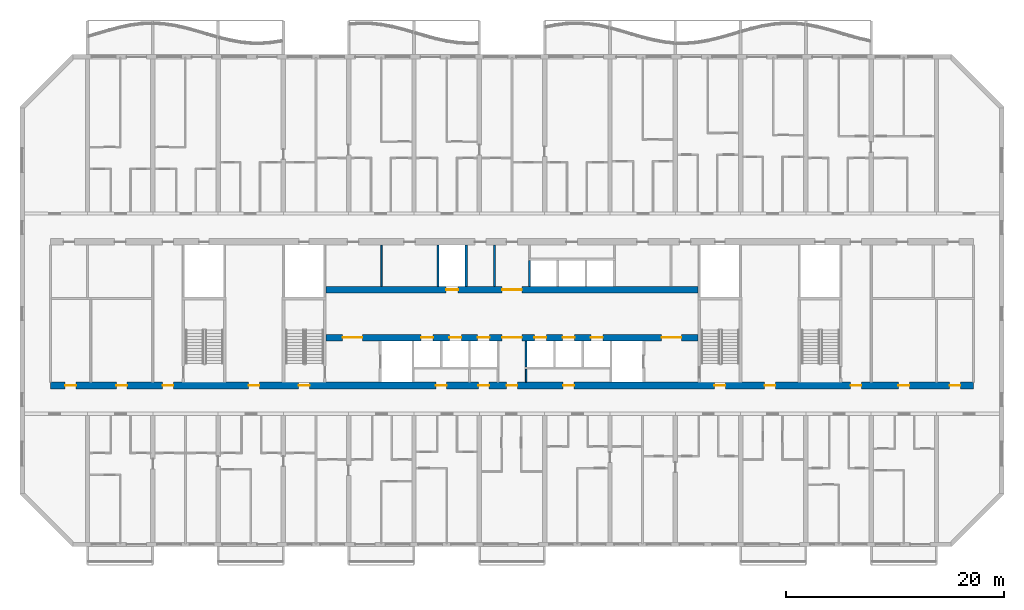
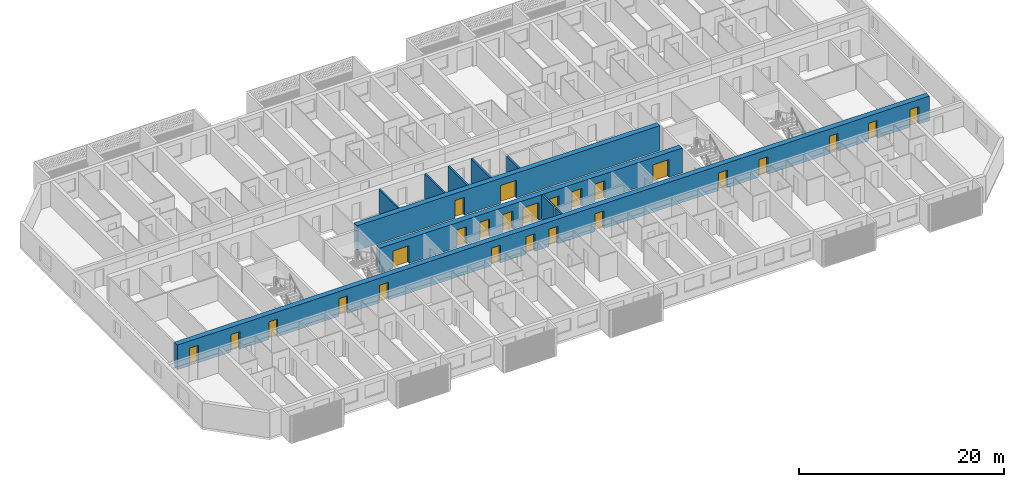
# One storey, part 7 of 39: 25 doors, 10 walls, 25 openings.
"""IFC4 building model written with IfcOpenShell, lengths in metres."""

from ifc_helpers import new_model, si_unit, direction, frame, frame_2d, origin, place, context, subcontext, project, spatial, rectangle, extrude, material, layer, layer_set, type_object, element, fill, save


model = new_model("IFC4")

# Units and contexts
model_context = context("Model", 3, precision=1e-05, world=origin(), true_north=direction((0.0, 1.0)))
body_context = subcontext(model_context, "Body", "Model", "MODEL_VIEW")
ifc_project = project(units=[si_unit("LENGTHUNIT", "METRE"), si_unit("AREAUNIT", "SQUARE_METRE"), si_unit("VOLUMEUNIT", "CUBIC_METRE"), si_unit("PLANEANGLEUNIT", "RADIAN"), si_unit("MASSUNIT", "GRAM", prefix="KILO")], contexts=[model_context])

# Site, building, storey
site_placement = place(None, origin())
site = spatial("IfcSite", under=ifc_project, at=site_placement, CompositionType="ELEMENT")
building_placement = place(site_placement, origin())
building = spatial("IfcBuilding", under=site, at=building_placement, Name="Poui Terraces", CompositionType="ELEMENT")
storey_placement = place(building_placement, frame((0.0, 0.0, 63.0)))
storey = spatial("IfcBuildingStorey", under=building, at=storey_placement, Name="L17", CompositionType="ELEMENT", Elevation=63.0)

# Wall, openings, doors
ifc_material_1 = material(Name="Concrete 80 MPa", Category="concrete")
ifc_layer_1 = layer(ifc_material_1, 0.60009765625)
ifc_layer_set_1 = layer_set([ifc_layer_1], Name="Concrete 80 MPa")
wall_type_1 = type_object("IfcWallType", Name="CORE WALL 600 80 MPA", PredefinedType="SOLIDWALL", material=ifc_layer_set_1)
wall_1_placement = place(storey_placement, frame((33.925048828125, 19.0, 0.0), z_axis=(0.0, 0.0, 1.0), x_axis=(1.0, 0.0, 0.0)))
wall_1 = element("IfcWall", 1, at=wall_1_placement, inside=storey, type_object=wall_type_1, Name="CORE WALL", PredefinedType="SOLIDWALL", context=body_context, shape_type="SweptSolid", body=[
    extrude(rectangle(XDim=34.14990234375, YDim=0.60009765625, at=frame_2d((17.074951171875, 0.0))), origin(), (0.0, 0.0, 1.0), 2.949951171875),
])
opening_1_placement = place(wall_1_placement, frame((16.175048828125, 0.0, 0.0)))
opening_1 = element("IfcOpeningElement", 2, at=opening_1_placement, cuts=wall_1, Name="Opening FDD60", PredefinedType="OPENING", context=body_context, shape_type="SweptSolid", body=[
    extrude(rectangle(XDim=1.800048828125, YDim=2.10009765625, at=frame_2d((0.89990234375, 1.050048828125))), frame((0.0, 0.31005859375, 0.0), z_axis=(0.0, -1.0, 0.0), x_axis=(1.0, 0.0, 0.0)), (0.0, 0.0, 1.0), 0.6201171875),
])
opening_2_placement = place(wall_1_placement, frame((1.52490234375, 0.0, 0.0)))
opening_2 = element("IfcOpeningElement", 3, at=opening_2_placement, cuts=wall_1, Name="Opening FDD60", PredefinedType="OPENING", context=body_context, shape_type="SweptSolid", body=[
    extrude(rectangle(XDim=1.800048828125, YDim=2.10009765625, at=frame_2d((0.89990234375, 1.050048828125))), frame((0.0, 0.31005859375, 0.0), z_axis=(0.0, -1.0, 0.0), x_axis=(1.0, 0.0, 0.0)), (0.0, 0.0, 1.0), 0.6201171875),
])
opening_3_placement = place(wall_1_placement, frame((8.72509765625, 0.0, 0.0)))
opening_3 = element("IfcOpeningElement", 4, at=opening_3_placement, cuts=wall_1, Name="Opening LD", PredefinedType="OPENING", context=body_context, shape_type="SweptSolid", body=[
    extrude(rectangle(XDim=1.10009765625, YDim=2.10009765625, at=frame_2d((0.550048828125, 1.050048828125))), frame((0.0, 0.31005859375, 0.0), z_axis=(0.0, -1.0, 0.0), x_axis=(1.0, 0.0, 0.0)), (0.0, 0.0, 1.0), 0.6201171875),
])
opening_4_placement = place(wall_1_placement, frame((11.324951171875, 0.0, 0.0)))
opening_4 = element("IfcOpeningElement", 5, at=opening_4_placement, cuts=wall_1, Name="Opening LD", PredefinedType="OPENING", context=body_context, shape_type="SweptSolid", body=[
    extrude(rectangle(XDim=1.10009765625, YDim=2.10009765625, at=frame_2d((0.550048828125, 1.050048828125))), frame((0.0, 0.31005859375, 0.0), z_axis=(0.0, -1.0, 0.0), x_axis=(1.0, 0.0, 0.0)), (0.0, 0.0, 1.0), 0.6201171875),
])
opening_5_placement = place(wall_1_placement, frame((13.925048828125, 0.0, 0.0)))
opening_5 = element("IfcOpeningElement", 6, at=opening_5_placement, cuts=wall_1, Name="Opening LD", PredefinedType="OPENING", context=body_context, shape_type="SweptSolid", body=[
    extrude(rectangle(XDim=1.10009765625, YDim=2.10009765625, at=frame_2d((0.550048828125, 1.050048828125))), frame((0.0, 0.31005859375, 0.0), z_axis=(0.0, -1.0, 0.0), x_axis=(1.0, 0.0, 0.0)), (0.0, 0.0, 1.0), 0.6201171875),
])
opening_6_placement = place(wall_1_placement, frame((19.125, 0.0, 0.0)))
opening_6 = element("IfcOpeningElement", 7, at=opening_6_placement, cuts=wall_1, Name="Opening LD", PredefinedType="OPENING", context=body_context, shape_type="SweptSolid", body=[
    extrude(rectangle(XDim=1.10009765625, YDim=2.10009765625, at=frame_2d((0.550048828125, 1.050048828125))), frame((0.0, 0.31005859375, 0.0), z_axis=(0.0, -1.0, 0.0), x_axis=(1.0, 0.0, 0.0)), (0.0, 0.0, 1.0), 0.6201171875),
])
opening_7_placement = place(wall_1_placement, frame((21.72509765625, 0.0, 0.0)))
opening_7 = element("IfcOpeningElement", 8, at=opening_7_placement, cuts=wall_1, Name="Opening LD", PredefinedType="OPENING", context=body_context, shape_type="SweptSolid", body=[
    extrude(rectangle(XDim=1.10009765625, YDim=2.10009765625, at=frame_2d((0.550048828125, 1.050048828125))), frame((0.0, 0.31005859375, 0.0), z_axis=(0.0, -1.0, 0.0), x_axis=(1.0, 0.0, 0.0)), (0.0, 0.0, 1.0), 0.6201171875),
])
opening_8_placement = place(wall_1_placement, frame((24.324951171875, 0.0, 0.0)))
opening_8 = element("IfcOpeningElement", 9, at=opening_8_placement, cuts=wall_1, Name="Opening LD", PredefinedType="OPENING", context=body_context, shape_type="SweptSolid", body=[
    extrude(rectangle(XDim=1.10009765625, YDim=2.10009765625, at=frame_2d((0.550048828125, 1.050048828125))), frame((0.0, 0.31005859375, 0.0), z_axis=(0.0, -1.0, 0.0), x_axis=(1.0, 0.0, 0.0)), (0.0, 0.0, 1.0), 0.6201171875),
])
opening_9_placement = place(wall_1_placement, frame((30.824951171875, 0.0, 0.0)))
opening_9 = element("IfcOpeningElement", 10, at=opening_9_placement, cuts=wall_1, Name="Opening FDD60", PredefinedType="OPENING", context=body_context, shape_type="SweptSolid", body=[
    extrude(rectangle(XDim=1.800048828125, YDim=2.10009765625, at=frame_2d((0.89990234375, 1.050048828125))), frame((0.0, 0.31005859375, 0.0), z_axis=(0.0, -1.0, 0.0), x_axis=(1.0, 0.0, 0.0)), (0.0, 0.0, 1.0), 0.6201171875),
])
ifc_material_2 = material(Name="Steel fire door", Category="steel")
door_type_1 = type_object("IfcDoorType", Name="DOUBLE LOBBY FIRE DOOR 1800 X 2100", OperationType="DOUBLE_DOOR_SINGLE_SWING", PredefinedType="DOOR", material=ifc_material_2)
door_1_placement = place(opening_1_placement, frame((1.800048828125, 0.0, 0.0), z_axis=(0.0, 0.0, 1.0), x_axis=(-1.0, 0.0, 0.0)))
door_1 = element("IfcDoor", 11, at=door_1_placement, inside=storey, type_object=door_type_1, Name="DOUBLE LOBBY FIRE DOOR 140", OperationType="DOUBLE_DOOR_SINGLE_SWING", OverallHeight=2.10009765625, OverallWidth=1.800048828125, PredefinedType="DOOR", context=body_context, shape_type="SweptSolid", body=[
    extrude(rectangle(XDim=1.800048828125, YDim=2.10009765625, at=frame_2d((0.89990234375, 1.050048828125))), frame((0.0, 0.02490234375, 0.0), z_axis=(0.0, -1.0, 0.0), x_axis=(1.0, 0.0, 0.0)), (0.0, 0.0, 1.0), 0.050048828125),
])
fill(opening_1, door_1)
door_2_placement = place(opening_2_placement, origin())
door_2 = element("IfcDoor", 12, at=door_2_placement, inside=storey, type_object=door_type_1, Name="DOUBLE LOBBY FIRE DOOR 141", OperationType="DOUBLE_DOOR_SINGLE_SWING", OverallHeight=2.10009765625, OverallWidth=1.800048828125, PredefinedType="DOOR", context=body_context, shape_type="SweptSolid", body=[
    extrude(rectangle(XDim=1.800048828125, YDim=2.10009765625, at=frame_2d((0.89990234375, 1.050048828125))), frame((0.0, 0.02490234375, 0.0), z_axis=(0.0, -1.0, 0.0), x_axis=(1.0, 0.0, 0.0)), (0.0, 0.0, 1.0), 0.050048828125),
])
fill(opening_2, door_2)
door_3_placement = place(opening_9_placement, origin())
door_3 = element("IfcDoor", 13, at=door_3_placement, inside=storey, type_object=door_type_1, Name="DOUBLE LOBBY FIRE DOOR 149", OperationType="DOUBLE_DOOR_SINGLE_SWING", OverallHeight=2.10009765625, OverallWidth=1.800048828125, PredefinedType="DOOR", context=body_context, shape_type="SweptSolid", body=[
    extrude(rectangle(XDim=1.800048828125, YDim=2.10009765625, at=frame_2d((0.89990234375, 1.050048828125))), frame((0.0, 0.02490234375, 0.0), z_axis=(0.0, -1.0, 0.0), x_axis=(1.0, 0.0, 0.0)), (0.0, 0.0, 1.0), 0.050048828125),
])
fill(opening_9, door_3)
ifc_material_3 = material(Name="Stainless steel sliding door", Category="steel")
door_type_2 = type_object("IfcDoorType", Name="LIFT LANDING DOOR 1100 X 2100", OperationType="DOUBLE_DOOR_SLIDING", PredefinedType="DOOR", material=ifc_material_3)
door_4_placement = place(opening_3_placement, origin())
door_4 = element("IfcDoor", 14, at=door_4_placement, inside=storey, type_object=door_type_2, Name="LANDING DOOR", OperationType="DOUBLE_DOOR_SLIDING", OverallHeight=2.10009765625, OverallWidth=1.10009765625, PredefinedType="DOOR", context=body_context, shape_type="SweptSolid", body=[
    extrude(rectangle(XDim=1.10009765625, YDim=2.10009765625, at=frame_2d((0.550048828125, 1.050048828125))), frame((0.0, 0.02490234375, 0.0), z_axis=(0.0, -1.0, 0.0), x_axis=(1.0, 0.0, 0.0)), (0.0, 0.0, 1.0), 0.050048828125),
])
fill(opening_3, door_4)
door_5_placement = place(opening_4_placement, origin())
door_5 = element("IfcDoor", 15, at=door_5_placement, inside=storey, type_object=door_type_2, Name="LANDING DOOR", OperationType="DOUBLE_DOOR_SLIDING", OverallHeight=2.10009765625, OverallWidth=1.10009765625, PredefinedType="DOOR", context=body_context, shape_type="SweptSolid", body=[
    extrude(rectangle(XDim=1.10009765625, YDim=2.10009765625, at=frame_2d((0.550048828125, 1.050048828125))), frame((0.0, 0.02490234375, 0.0), z_axis=(0.0, -1.0, 0.0), x_axis=(1.0, 0.0, 0.0)), (0.0, 0.0, 1.0), 0.050048828125),
])
fill(opening_4, door_5)
door_6_placement = place(opening_5_placement, origin())
door_6 = element("IfcDoor", 16, at=door_6_placement, inside=storey, type_object=door_type_2, Name="LANDING DOOR", OperationType="DOUBLE_DOOR_SLIDING", OverallHeight=2.10009765625, OverallWidth=1.10009765625, PredefinedType="DOOR", context=body_context, shape_type="SweptSolid", body=[
    extrude(rectangle(XDim=1.10009765625, YDim=2.10009765625, at=frame_2d((0.550048828125, 1.050048828125))), frame((0.0, 0.02490234375, 0.0), z_axis=(0.0, -1.0, 0.0), x_axis=(1.0, 0.0, 0.0)), (0.0, 0.0, 1.0), 0.050048828125),
])
fill(opening_5, door_6)
door_7_placement = place(opening_6_placement, origin())
door_7 = element("IfcDoor", 17, at=door_7_placement, inside=storey, type_object=door_type_2, Name="LANDING DOOR", OperationType="DOUBLE_DOOR_SLIDING", OverallHeight=2.10009765625, OverallWidth=1.10009765625, PredefinedType="DOOR", context=body_context, shape_type="SweptSolid", body=[
    extrude(rectangle(XDim=1.10009765625, YDim=2.10009765625, at=frame_2d((0.550048828125, 1.050048828125))), frame((0.0, 0.02490234375, 0.0), z_axis=(0.0, -1.0, 0.0), x_axis=(1.0, 0.0, 0.0)), (0.0, 0.0, 1.0), 0.050048828125),
])
fill(opening_6, door_7)
door_8_placement = place(opening_7_placement, origin())
door_8 = element("IfcDoor", 18, at=door_8_placement, inside=storey, type_object=door_type_2, Name="LANDING DOOR", OperationType="DOUBLE_DOOR_SLIDING", OverallHeight=2.10009765625, OverallWidth=1.10009765625, PredefinedType="DOOR", context=body_context, shape_type="SweptSolid", body=[
    extrude(rectangle(XDim=1.10009765625, YDim=2.10009765625, at=frame_2d((0.550048828125, 1.050048828125))), frame((0.0, 0.02490234375, 0.0), z_axis=(0.0, -1.0, 0.0), x_axis=(1.0, 0.0, 0.0)), (0.0, 0.0, 1.0), 0.050048828125),
])
fill(opening_7, door_8)
door_9_placement = place(opening_8_placement, origin())
door_9 = element("IfcDoor", 19, at=door_9_placement, inside=storey, type_object=door_type_2, Name="LANDING DOOR", OperationType="DOUBLE_DOOR_SLIDING", OverallHeight=2.10009765625, OverallWidth=1.10009765625, PredefinedType="DOOR", context=body_context, shape_type="SweptSolid", body=[
    extrude(rectangle(XDim=1.10009765625, YDim=2.10009765625, at=frame_2d((0.550048828125, 1.050048828125))), frame((0.0, 0.02490234375, 0.0), z_axis=(0.0, -1.0, 0.0), x_axis=(1.0, 0.0, 0.0)), (0.0, 0.0, 1.0), 0.050048828125),
])
fill(opening_8, door_9)

wall_2_placement = place(storey_placement, frame((33.925048828125, 23.39990234375, 0.0), z_axis=(0.0, 0.0, 1.0), x_axis=(1.0, 0.0, 0.0)))
wall_2 = element("IfcWall", 20, at=wall_2_placement, inside=storey, type_object=wall_type_1, Name="CORE WALL", PredefinedType="SOLIDWALL", context=body_context, shape_type="SweptSolid", body=[
    extrude(rectangle(XDim=34.14990234375, YDim=0.60009765625, at=frame_2d((17.074951171875, 0.0))), origin(), (0.0, 0.0, 1.0), 2.949951171875),
])
opening_10_placement = place(wall_2_placement, frame((16.175048828125, 0.0, 0.0)))
opening_10 = element("IfcOpeningElement", 21, at=opening_10_placement, cuts=wall_2, Name="Opening FDD60", PredefinedType="OPENING", context=body_context, shape_type="SweptSolid", body=[
    extrude(rectangle(XDim=1.800048828125, YDim=2.10009765625, at=frame_2d((0.89990234375, 1.050048828125))), frame((0.0, 0.31005859375, 0.0), z_axis=(0.0, -1.0, 0.0), x_axis=(1.0, 0.0, 0.0)), (0.0, 0.0, 1.0), 0.6201171875),
])
opening_11_placement = place(wall_2_placement, frame((11.02490234375, 0.0, 0.0)))
opening_11 = element("IfcOpeningElement", 22, at=opening_11_placement, cuts=wall_2, Name="Opening LD", PredefinedType="OPENING", context=body_context, shape_type="SweptSolid", body=[
    extrude(rectangle(XDim=1.10009765625, YDim=2.10009765625, at=frame_2d((0.550048828125, 1.050048828125))), frame((0.0, 0.31005859375, 0.0), z_axis=(0.0, -1.0, 0.0), x_axis=(1.0, 0.0, 0.0)), (0.0, 0.0, 1.0), 0.6201171875),
])
door_10_placement = place(opening_10_placement, origin())
door_10 = element("IfcDoor", 23, at=door_10_placement, inside=storey, type_object=door_type_1, Name="DOUBLE LOBBY FIRE DOOR 139", OperationType="DOUBLE_DOOR_SINGLE_SWING", OverallHeight=2.10009765625, OverallWidth=1.800048828125, PredefinedType="DOOR", context=body_context, shape_type="SweptSolid", body=[
    extrude(rectangle(XDim=1.800048828125, YDim=2.10009765625, at=frame_2d((0.89990234375, 1.050048828125))), frame((0.0, 0.02490234375, 0.0), z_axis=(0.0, -1.0, 0.0), x_axis=(1.0, 0.0, 0.0)), (0.0, 0.0, 1.0), 0.050048828125),
])
fill(opening_10, door_10)
door_11_placement = place(opening_11_placement, origin())
door_11 = element("IfcDoor", 24, at=door_11_placement, inside=storey, type_object=door_type_2, Name="LANDING DOOR", OperationType="DOUBLE_DOOR_SLIDING", OverallHeight=2.10009765625, OverallWidth=1.10009765625, PredefinedType="DOOR", context=body_context, shape_type="SweptSolid", body=[
    extrude(rectangle(XDim=1.10009765625, YDim=2.10009765625, at=frame_2d((0.550048828125, 1.050048828125))), frame((0.0, 0.02490234375, 0.0), z_axis=(0.0, -1.0, 0.0), x_axis=(1.0, 0.0, 0.0)), (0.0, 0.0, 1.0), 0.050048828125),
])
fill(opening_11, door_11)

# Walls
ifc_material_4 = material(Name="Fire-rated plasterboard wall")
ifc_layer_2 = layer(ifc_material_4, 0.14990234375)
ifc_layer_set_2 = layer_set([ifc_layer_2], Name="Fire-rated plasterboard wall")
wall_type_2 = type_object("IfcWallType", Name="CORRIDOR WALL 150", PredefinedType="PARTITIONING", material=ifc_layer_set_2)
wall_3_placement = place(storey_placement, frame((52.300048828125, 14.909912109375, 0.0), z_axis=(0.0, 0.0, 1.0), x_axis=(0.0, 1.0, 0.0)))
element("IfcWall", 25, at=wall_3_placement, inside=storey, type_object=wall_type_2, Name="CORRIDOR WALL 150", PredefinedType="PARTITIONING", context=body_context, shape_type="SweptSolid", body=[
    extrude(rectangle(XDim=1.190185546875, YDim=0.14990234375, at=frame_2d((0.59521484375, 0.0))), origin(), (0.0, 0.0, 1.0), 2.949951171875),
])
ifc_material_5 = material(Name="Plasterboard partition")
ifc_layer_3 = layer(ifc_material_5, 0.14990234375)
ifc_layer_set_3 = layer_set([ifc_layer_3], Name="Plasterboard partition")
wall_type_3 = type_object("IfcWallType", Name="PARTITION WALL 150", PredefinedType="PARTITIONING", material=ifc_layer_set_3)
wall_4_placement = place(storey_placement, frame((39.0, 23.7099609375, 0.0), z_axis=(0.0, 0.0, 1.0), x_axis=(0.0, 1.0, 0.0)))
element("IfcWall", 26, at=wall_4_placement, inside=storey, type_object=wall_type_3, Name="PARTITION WALL 150", PredefinedType="PARTITIONING", context=body_context, shape_type="SweptSolid", body=[
    extrude(rectangle(XDim=3.780029296875, YDim=0.14990234375, at=frame_2d((1.89013671875, 0.0))), origin(), (0.0, 0.0, 1.0), 2.949951171875),
])
ifc_material_6 = material(Name="Fire-rated masonry wall", Category="masonry")
ifc_layer_4 = layer(ifc_material_6, 0.199951171875)
ifc_layer_set_4 = layer_set([ifc_layer_4], Name="Fire-rated masonry wall")
wall_type_4 = type_object("IfcWallType", Name="PLANT ROOM WALL 200", PredefinedType="PARTITIONING", material=ifc_layer_set_4)
wall_5_placement = place(storey_placement, frame((49.39990234375, 23.7099609375, 0.0), z_axis=(0.0, 0.0, 1.0), x_axis=(0.0, 1.0, 0.0)))
element("IfcWall", 27, at=wall_5_placement, inside=storey, type_object=wall_type_4, Name="PLANT ROOM WALL 200", PredefinedType="PARTITIONING", context=body_context, shape_type="SweptSolid", body=[
    extrude(rectangle(XDim=3.780029296875, YDim=0.199951171875, at=frame_2d((1.89013671875, 0.0))), origin(), (0.0, 0.0, 1.0), 2.949951171875),
])
ifc_material_7 = material(Name="Fire-rated masonry shaft wall", Category="masonry")
ifc_layer_5 = layer(ifc_material_7, 0.199951171875)
ifc_layer_set_5 = layer_set([ifc_layer_5], Name="Fire-rated masonry shaft wall")
wall_type_5 = type_object("IfcWallType", Name="SHAFT WALL 200", PredefinedType="PARTITIONING", material=ifc_layer_set_5)
for number, where, z_axis, x_axis, name in (
    (28, (44.199951171875, 23.7099609375, 0.0), (0.0, 0.0, 1.0), (0.0, 1.0, 0.0), "SHAFT WALL 200"),
    (29, (46.800048828125, 23.7099609375, 0.0), (0.0, 0.0, 1.0), (0.0, 1.0, 0.0), "SHAFT WALL 200"),
):
    element("IfcWall", number, at=place(storey_placement, frame(where, z_axis=z_axis, x_axis=x_axis)), inside=storey, type_object=wall_type_5, Name=name, PredefinedType="PARTITIONING", context=body_context, shape_type="SweptSolid", body=[
        extrude(rectangle(XDim=3.780029296875, YDim=0.199951171875, at=frame_2d((1.89013671875, 0.0))), origin(), (0.0, 0.0, 1.0), 2.949951171875),
    ])
wall_6_placement = place(storey_placement, frame((52.300048828125, 16.300048828125, 0.0), z_axis=(0.0, 0.0, 1.0), x_axis=(0.0, 1.0, 0.0)))
element("IfcWall", 30, at=wall_6_placement, inside=storey, type_object=wall_type_5, Name="SHAFT WALL 200", PredefinedType="PARTITIONING", context=body_context, shape_type="SweptSolid", body=[
    extrude(rectangle(XDim=2.389892578125, YDim=0.199951171875, at=frame_2d((1.19482421875, 0.0))), origin(), (0.0, 0.0, 1.0), 2.949951171875),
])
wall_7_placement = place(storey_placement, frame((52.60009765625, 23.7099609375, 0.0), z_axis=(0.0, 0.0, 1.0), x_axis=(0.0, 1.0, 0.0)))
element("IfcWall", 31, at=wall_7_placement, inside=storey, type_object=wall_type_5, Name="SHAFT WALL 200", PredefinedType="PARTITIONING", context=body_context, shape_type="SweptSolid", body=[
    extrude(rectangle(XDim=2.39013671875, YDim=0.199951171875, at=frame_2d((1.195068359375, 0.0))), origin(), (0.0, 0.0, 1.0), 2.949951171875),
])

# Wall, openings, doors
ifc_layer_6 = layer(ifc_material_1, 0.60009765625)
ifc_layer_set_6 = layer_set([ifc_layer_6], Name="Concrete 80 MPa")
wall_type_6 = type_object("IfcWallType", Name="SPINE WALL 600 80 MPA", PredefinedType="SOLIDWALL", material=ifc_layer_set_6)
wall_8_placement = place(storey_placement, frame((8.60009765625, 14.60009765625, 0.0), z_axis=(0.0, 0.0, 1.0), x_axis=(1.0, 0.0, 0.0)))
wall_8 = element("IfcWall", 32, at=wall_8_placement, inside=storey, type_object=wall_type_6, Name="SPINE WALL", PredefinedType="SOLIDWALL", context=body_context, shape_type="SweptSolid", body=[
    extrude(rectangle(XDim=84.7998046875, YDim=0.60009765625, at=frame_2d((42.39990234375, 0.0))), origin(), (0.0, 0.0, 1.0), 2.949951171875),
])
opening_12_placement = place(wall_8_placement, frame((1.35009765625, 0.0, 0.0)))
opening_12 = element("IfcOpeningElement", 33, at=opening_12_placement, cuts=wall_8, Name="Opening D100", PredefinedType="OPENING", context=body_context, shape_type="SweptSolid", body=[
    extrude(rectangle(XDim=1.0, YDim=2.10009765625, at=frame_2d((0.5, 1.050048828125))), frame((0.0, 0.31005859375, 0.0), z_axis=(0.0, -1.0, 0.0), x_axis=(1.0, 0.0, 0.0)), (0.0, 0.0, 1.0), 0.6201171875),
])
opening_13_placement = place(wall_8_placement, frame((6.050048828125, 0.0, 0.0)))
opening_13 = element("IfcOpeningElement", 34, at=opening_13_placement, cuts=wall_8, Name="Opening FD60", PredefinedType="OPENING", context=body_context, shape_type="SweptSolid", body=[
    extrude(rectangle(XDim=1.0, YDim=2.10009765625, at=frame_2d((0.5, 1.050048828125))), frame((0.0, 0.31005859375, 0.0), z_axis=(0.0, -1.0, 0.0), x_axis=(1.0, 0.0, 0.0)), (0.0, 0.0, 1.0), 0.6201171875),
])
opening_14_placement = place(wall_8_placement, frame((10.300048828125, 0.0, 0.0)))
opening_14 = element("IfcOpeningElement", 35, at=opening_14_placement, cuts=wall_8, Name="Opening FDL", PredefinedType="OPENING", context=body_context, shape_type="SweptSolid", body=[
    extrude(rectangle(XDim=1.0, YDim=2.10009765625, at=frame_2d((0.5, 1.050048828125))), frame((0.0, 0.31005859375, 0.0), z_axis=(0.0, -1.0, 0.0), x_axis=(1.0, 0.0, 0.0)), (0.0, 0.0, 1.0), 0.6201171875),
])
opening_15_placement = place(wall_8_placement, frame((18.199951171875, 0.0, 0.0)))
opening_15 = element("IfcOpeningElement", 36, at=opening_15_placement, cuts=wall_8, Name="Opening D100", PredefinedType="OPENING", context=body_context, shape_type="SweptSolid", body=[
    extrude(rectangle(XDim=1.0, YDim=2.10009765625, at=frame_2d((0.5, 1.050048828125))), frame((0.0, 0.31005859375, 0.0), z_axis=(0.0, -1.0, 0.0), x_axis=(1.0, 0.0, 0.0)), (0.0, 0.0, 1.0), 0.6201171875),
])
opening_16_placement = place(wall_8_placement, frame((22.800048828125, 0.0, 0.0)))
opening_16 = element("IfcOpeningElement", 37, at=opening_16_placement, cuts=wall_8, Name="Opening FD60S", PredefinedType="OPENING", context=body_context, shape_type="SweptSolid", body=[
    extrude(rectangle(XDim=1.0, YDim=2.10009765625, at=frame_2d((0.5, 1.050048828125))), frame((0.0, 0.31005859375, 0.0), z_axis=(0.0, -1.0, 0.0), x_axis=(1.0, 0.0, 0.0)), (0.0, 0.0, 1.0), 0.6201171875),
])
opening_17_placement = place(wall_8_placement, frame((35.39990234375, 0.0, 0.0)))
opening_17 = element("IfcOpeningElement", 38, at=opening_17_placement, cuts=wall_8, Name="Opening FD60", PredefinedType="OPENING", context=body_context, shape_type="SweptSolid", body=[
    extrude(rectangle(XDim=1.0, YDim=2.10009765625, at=frame_2d((0.5, 1.050048828125))), frame((0.0, 0.31005859375, 0.0), z_axis=(0.0, -1.0, 0.0), x_axis=(1.0, 0.0, 0.0)), (0.0, 0.0, 1.0), 0.6201171875),
])
opening_18_placement = place(wall_8_placement, frame((39.300048828125, 0.0, 0.0)))
opening_18 = element("IfcOpeningElement", 39, at=opening_18_placement, cuts=wall_8, Name="Opening FD60", PredefinedType="OPENING", context=body_context, shape_type="SweptSolid", body=[
    extrude(rectangle(XDim=1.0, YDim=2.10009765625, at=frame_2d((0.5, 1.050048828125))), frame((0.0, 0.31005859375, 0.0), z_axis=(0.0, -1.0, 0.0), x_axis=(1.0, 0.0, 0.0)), (0.0, 0.0, 1.0), 0.6201171875),
])
opening_19_placement = place(wall_8_placement, frame((41.89990234375, 0.0, 0.0)))
opening_19 = element("IfcOpeningElement", 40, at=opening_19_placement, cuts=wall_8, Name="Opening FDL", PredefinedType="OPENING", context=body_context, shape_type="SweptSolid", body=[
    extrude(rectangle(XDim=1.0, YDim=2.10009765625, at=frame_2d((0.5, 1.050048828125))), frame((0.0, 0.31005859375, 0.0), z_axis=(0.0, -1.0, 0.0), x_axis=(1.0, 0.0, 0.0)), (0.0, 0.0, 1.0), 0.6201171875),
])
opening_20_placement = place(wall_8_placement, frame((47.10009765625, 0.0, 0.0)))
opening_20 = element("IfcOpeningElement", 41, at=opening_20_placement, cuts=wall_8, Name="Opening FD60", PredefinedType="OPENING", context=body_context, shape_type="SweptSolid", body=[
    extrude(rectangle(XDim=1.0, YDim=2.10009765625, at=frame_2d((0.5, 1.050048828125))), frame((0.0, 0.31005859375, 0.0), z_axis=(0.0, -1.0, 0.0), x_axis=(1.0, 0.0, 0.0)), (0.0, 0.0, 1.0), 0.6201171875),
])
opening_21_placement = place(wall_8_placement, frame((61.0, 0.0, 0.0)))
opening_21 = element("IfcOpeningElement", 42, at=opening_21_placement, cuts=wall_8, Name="Opening FD60S", PredefinedType="OPENING", context=body_context, shape_type="SweptSolid", body=[
    extrude(rectangle(XDim=1.0, YDim=2.10009765625, at=frame_2d((0.5, 1.050048828125))), frame((0.0, 0.31005859375, 0.0), z_axis=(0.0, -1.0, 0.0), x_axis=(1.0, 0.0, 0.0)), (0.0, 0.0, 1.0), 0.6201171875),
])
opening_22_placement = place(wall_8_placement, frame((65.60009765625, 0.0, 0.0)))
opening_22 = element("IfcOpeningElement", 43, at=opening_22_placement, cuts=wall_8, Name="Opening D100", PredefinedType="OPENING", context=body_context, shape_type="SweptSolid", body=[
    extrude(rectangle(XDim=1.0, YDim=2.10009765625, at=frame_2d((0.5, 1.050048828125))), frame((0.0, 0.31005859375, 0.0), z_axis=(0.0, -1.0, 0.0), x_axis=(1.0, 0.0, 0.0)), (0.0, 0.0, 1.0), 0.6201171875),
])
opening_23_placement = place(wall_8_placement, frame((73.5, 0.0, 0.0)))
opening_23 = element("IfcOpeningElement", 44, at=opening_23_placement, cuts=wall_8, Name="Opening FDL", PredefinedType="OPENING", context=body_context, shape_type="SweptSolid", body=[
    extrude(rectangle(XDim=1.0, YDim=2.10009765625, at=frame_2d((0.5, 1.050048828125))), frame((0.0, 0.31005859375, 0.0), z_axis=(0.0, -1.0, 0.0), x_axis=(1.0, 0.0, 0.0)), (0.0, 0.0, 1.0), 0.6201171875),
])
opening_24_placement = place(wall_8_placement, frame((77.89990234375, 0.0, 0.0)))
opening_24 = element("IfcOpeningElement", 45, at=opening_24_placement, cuts=wall_8, Name="Opening D100", PredefinedType="OPENING", context=body_context, shape_type="SweptSolid", body=[
    extrude(rectangle(XDim=1.0, YDim=2.10009765625, at=frame_2d((0.5, 1.050048828125))), frame((0.0, 0.31005859375, 0.0), z_axis=(0.0, -1.0, 0.0), x_axis=(1.0, 0.0, 0.0)), (0.0, 0.0, 1.0), 0.6201171875),
])
opening_25_placement = place(wall_8_placement, frame((82.60009765625, 0.0, 0.0)))
opening_25 = element("IfcOpeningElement", 46, at=opening_25_placement, cuts=wall_8, Name="Opening FD60", PredefinedType="OPENING", context=body_context, shape_type="SweptSolid", body=[
    extrude(rectangle(XDim=1.0, YDim=2.10009765625, at=frame_2d((0.5, 1.050048828125))), frame((0.0, 0.31005859375, 0.0), z_axis=(0.0, -1.0, 0.0), x_axis=(1.0, 0.0, 0.0)), (0.0, 0.0, 1.0), 0.6201171875),
])
ifc_material_8 = material(Name="Solid core timber door", Category="wood")
door_type_3 = type_object("IfcDoorType", Name="ACCESSIBLE INTERNAL DOOR 1000 X 2100", OperationType="NOTDEFINED", PredefinedType="DOOR", material=ifc_material_8)
door_12_placement = place(opening_12_placement, frame((1.0, 0.0, 0.0), z_axis=(0.0, 0.0, 1.0), x_axis=(-1.0, 0.0, 0.0)))
door_12 = element("IfcDoor", 47, at=door_12_placement, inside=storey, type_object=door_type_3, Name="ACCESSIBLE INTERNAL DOOR 018", OperationType="SINGLE_SWING_RIGHT", OverallHeight=2.10009765625, OverallWidth=1.0, PredefinedType="DOOR", context=body_context, shape_type="SweptSolid", body=[
    extrude(rectangle(XDim=1.0, YDim=2.10009765625, at=frame_2d((0.5, 1.050048828125))), frame((0.0, 0.02490234375, 0.0), z_axis=(0.0, -1.0, 0.0), x_axis=(1.0, 0.0, 0.0)), (0.0, 0.0, 1.0), 0.050048828125),
])
fill(opening_12, door_12)
door_13_placement = place(opening_15_placement, frame((1.0, 0.0, 0.0), z_axis=(0.0, 0.0, 1.0), x_axis=(-1.0, 0.0, 0.0)))
door_13 = element("IfcDoor", 48, at=door_13_placement, inside=storey, type_object=door_type_3, Name="ACCESSIBLE INTERNAL DOOR 021", OperationType="SINGLE_SWING_RIGHT", OverallHeight=2.10009765625, OverallWidth=1.0, PredefinedType="DOOR", context=body_context, shape_type="SweptSolid", body=[
    extrude(rectangle(XDim=1.0, YDim=2.10009765625, at=frame_2d((0.5, 1.050048828125))), frame((0.0, 0.02490234375, 0.0), z_axis=(0.0, -1.0, 0.0), x_axis=(1.0, 0.0, 0.0)), (0.0, 0.0, 1.0), 0.050048828125),
])
fill(opening_15, door_13)
door_14_placement = place(opening_22_placement, frame((1.0, 0.0, 0.0), z_axis=(0.0, 0.0, 1.0), x_axis=(-1.0, 0.0, 0.0)))
door_14 = element("IfcDoor", 49, at=door_14_placement, inside=storey, type_object=door_type_3, Name="ACCESSIBLE INTERNAL DOOR 028", OperationType="SINGLE_SWING_LEFT", OverallHeight=2.10009765625, OverallWidth=1.0, PredefinedType="DOOR", context=body_context, shape_type="SweptSolid", body=[
    extrude(rectangle(XDim=1.0, YDim=2.10009765625, at=frame_2d((0.5, 1.050048828125))), frame((0.0, 0.02490234375, 0.0), z_axis=(0.0, -1.0, 0.0), x_axis=(1.0, 0.0, 0.0)), (0.0, 0.0, 1.0), 0.050048828125),
])
fill(opening_22, door_14)
door_15_placement = place(opening_24_placement, frame((1.0, 0.0, 0.0), z_axis=(0.0, 0.0, 1.0), x_axis=(-1.0, 0.0, 0.0)))
door_15 = element("IfcDoor", 50, at=door_15_placement, inside=storey, type_object=door_type_3, Name="ACCESSIBLE INTERNAL DOOR 030", OperationType="SINGLE_SWING_RIGHT", OverallHeight=2.10009765625, OverallWidth=1.0, PredefinedType="DOOR", context=body_context, shape_type="SweptSolid", body=[
    extrude(rectangle(XDim=1.0, YDim=2.10009765625, at=frame_2d((0.5, 1.050048828125))), frame((0.0, 0.02490234375, 0.0), z_axis=(0.0, -1.0, 0.0), x_axis=(1.0, 0.0, 0.0)), (0.0, 0.0, 1.0), 0.050048828125),
])
fill(opening_24, door_15)
door_type_4 = type_object("IfcDoorType", Name="LOBBY FIRE DOOR 1000 X 2100", OperationType="NOTDEFINED", PredefinedType="DOOR", material=ifc_material_2)
door_16_placement = place(opening_14_placement, frame((1.0, 0.0, 0.0), z_axis=(0.0, 0.0, 1.0), x_axis=(-1.0, 0.0, 0.0)))
door_16 = element("IfcDoor", 51, at=door_16_placement, inside=storey, type_object=door_type_4, Name="LOBBY FIRE DOOR 020", OperationType="SINGLE_SWING_RIGHT", OverallHeight=2.10009765625, OverallWidth=1.0, PredefinedType="DOOR", context=body_context, shape_type="SweptSolid", body=[
    extrude(rectangle(XDim=1.0, YDim=2.10009765625, at=frame_2d((0.5, 1.050048828125))), frame((0.0, 0.02490234375, 0.0), z_axis=(0.0, -1.0, 0.0), x_axis=(1.0, 0.0, 0.0)), (0.0, 0.0, 1.0), 0.050048828125),
])
fill(opening_14, door_16)
door_17_placement = place(opening_19_placement, frame((1.0, 0.0, 0.0), z_axis=(0.0, 0.0, 1.0), x_axis=(-1.0, 0.0, 0.0)))
door_17 = element("IfcDoor", 52, at=door_17_placement, inside=storey, type_object=door_type_4, Name="LOBBY FIRE DOOR 025", OperationType="SINGLE_SWING_LEFT", OverallHeight=2.10009765625, OverallWidth=1.0, PredefinedType="DOOR", context=body_context, shape_type="SweptSolid", body=[
    extrude(rectangle(XDim=1.0, YDim=2.10009765625, at=frame_2d((0.5, 1.050048828125))), frame((0.0, 0.02490234375, 0.0), z_axis=(0.0, -1.0, 0.0), x_axis=(1.0, 0.0, 0.0)), (0.0, 0.0, 1.0), 0.050048828125),
])
fill(opening_19, door_17)
door_18_placement = place(opening_23_placement, frame((1.0, 0.0, 0.0), z_axis=(0.0, 0.0, 1.0), x_axis=(-1.0, 0.0, 0.0)))
door_18 = element("IfcDoor", 53, at=door_18_placement, inside=storey, type_object=door_type_4, Name="LOBBY FIRE DOOR 029", OperationType="SINGLE_SWING_LEFT", OverallHeight=2.10009765625, OverallWidth=1.0, PredefinedType="DOOR", context=body_context, shape_type="SweptSolid", body=[
    extrude(rectangle(XDim=1.0, YDim=2.10009765625, at=frame_2d((0.5, 1.050048828125))), frame((0.0, 0.02490234375, 0.0), z_axis=(0.0, -1.0, 0.0), x_axis=(1.0, 0.0, 0.0)), (0.0, 0.0, 1.0), 0.050048828125),
])
fill(opening_23, door_18)
door_type_5 = type_object("IfcDoorType", Name="SERVICE ROOM FIRE DOOR 1000 X 2100", OperationType="NOTDEFINED", PredefinedType="DOOR", material=ifc_material_2)
door_19_placement = place(opening_13_placement, frame((1.0, 0.0, 0.0), z_axis=(0.0, 0.0, 1.0), x_axis=(-1.0, 0.0, 0.0)))
door_19 = element("IfcDoor", 54, at=door_19_placement, inside=storey, type_object=door_type_5, Name="SERVICE ROOM FIRE DOOR 019", OperationType="SINGLE_SWING_LEFT", OverallHeight=2.10009765625, OverallWidth=1.0, PredefinedType="DOOR", context=body_context, shape_type="SweptSolid", body=[
    extrude(rectangle(XDim=1.0, YDim=2.10009765625, at=frame_2d((0.5, 1.050048828125))), frame((0.0, 0.02490234375, 0.0), z_axis=(0.0, -1.0, 0.0), x_axis=(1.0, 0.0, 0.0)), (0.0, 0.0, 1.0), 0.050048828125),
])
fill(opening_13, door_19)
door_20_placement = place(opening_17_placement, frame((1.0, 0.0, 0.0), z_axis=(0.0, 0.0, 1.0), x_axis=(-1.0, 0.0, 0.0)))
door_20 = element("IfcDoor", 55, at=door_20_placement, inside=storey, type_object=door_type_5, Name="SERVICE ROOM FIRE DOOR 023", OperationType="SINGLE_SWING_LEFT", OverallHeight=2.10009765625, OverallWidth=1.0, PredefinedType="DOOR", context=body_context, shape_type="SweptSolid", body=[
    extrude(rectangle(XDim=1.0, YDim=2.10009765625, at=frame_2d((0.5, 1.050048828125))), frame((0.0, 0.02490234375, 0.0), z_axis=(0.0, -1.0, 0.0), x_axis=(1.0, 0.0, 0.0)), (0.0, 0.0, 1.0), 0.050048828125),
])
fill(opening_17, door_20)
door_21_placement = place(opening_18_placement, frame((1.0, 0.0, 0.0), z_axis=(0.0, 0.0, 1.0), x_axis=(-1.0, 0.0, 0.0)))
door_21 = element("IfcDoor", 56, at=door_21_placement, inside=storey, type_object=door_type_5, Name="SERVICE ROOM FIRE DOOR 024", OperationType="SINGLE_SWING_RIGHT", OverallHeight=2.10009765625, OverallWidth=1.0, PredefinedType="DOOR", context=body_context, shape_type="SweptSolid", body=[
    extrude(rectangle(XDim=1.0, YDim=2.10009765625, at=frame_2d((0.5, 1.050048828125))), frame((0.0, 0.02490234375, 0.0), z_axis=(0.0, -1.0, 0.0), x_axis=(1.0, 0.0, 0.0)), (0.0, 0.0, 1.0), 0.050048828125),
])
fill(opening_18, door_21)
door_22_placement = place(opening_20_placement, frame((1.0, 0.0, 0.0), z_axis=(0.0, 0.0, 1.0), x_axis=(-1.0, 0.0, 0.0)))
door_22 = element("IfcDoor", 57, at=door_22_placement, inside=storey, type_object=door_type_5, Name="SERVICE ROOM FIRE DOOR 026", OperationType="SINGLE_SWING_LEFT", OverallHeight=2.10009765625, OverallWidth=1.0, PredefinedType="DOOR", context=body_context, shape_type="SweptSolid", body=[
    extrude(rectangle(XDim=1.0, YDim=2.10009765625, at=frame_2d((0.5, 1.050048828125))), frame((0.0, 0.02490234375, 0.0), z_axis=(0.0, -1.0, 0.0), x_axis=(1.0, 0.0, 0.0)), (0.0, 0.0, 1.0), 0.050048828125),
])
fill(opening_20, door_22)
door_23_placement = place(opening_25_placement, frame((1.0, 0.0, 0.0), z_axis=(0.0, 0.0, 1.0), x_axis=(-1.0, 0.0, 0.0)))
door_23 = element("IfcDoor", 58, at=door_23_placement, inside=storey, type_object=door_type_5, Name="SERVICE ROOM FIRE DOOR 031", OperationType="SINGLE_SWING_LEFT", OverallHeight=2.10009765625, OverallWidth=1.0, PredefinedType="DOOR", context=body_context, shape_type="SweptSolid", body=[
    extrude(rectangle(XDim=1.0, YDim=2.10009765625, at=frame_2d((0.5, 1.050048828125))), frame((0.0, 0.02490234375, 0.0), z_axis=(0.0, -1.0, 0.0), x_axis=(1.0, 0.0, 0.0)), (0.0, 0.0, 1.0), 0.050048828125),
])
fill(opening_25, door_23)
door_type_6 = type_object("IfcDoorType", Name="STAIR DOOR 1000 X 2100", OperationType="NOTDEFINED", PredefinedType="DOOR", material=ifc_material_2)
door_24_placement = place(opening_16_placement, origin())
door_24 = element("IfcDoor", 59, at=door_24_placement, inside=storey, type_object=door_type_6, Name="STAIR DOOR 022", OperationType="SINGLE_SWING_RIGHT", OverallHeight=2.10009765625, OverallWidth=1.0, PredefinedType="DOOR", context=body_context, shape_type="SweptSolid", body=[
    extrude(rectangle(XDim=1.0, YDim=2.10009765625, at=frame_2d((0.5, 1.050048828125))), frame((0.0, 0.02490234375, 0.0), z_axis=(0.0, -1.0, 0.0), x_axis=(1.0, 0.0, 0.0)), (0.0, 0.0, 1.0), 0.050048828125),
])
fill(opening_16, door_24)
door_25_placement = place(opening_21_placement, origin())
door_25 = element("IfcDoor", 60, at=door_25_placement, inside=storey, type_object=door_type_6, Name="STAIR DOOR 027", OperationType="SINGLE_SWING_RIGHT", OverallHeight=2.10009765625, OverallWidth=1.0, PredefinedType="DOOR", context=body_context, shape_type="SweptSolid", body=[
    extrude(rectangle(XDim=1.0, YDim=2.10009765625, at=frame_2d((0.5, 1.050048828125))), frame((0.0, 0.02490234375, 0.0), z_axis=(0.0, -1.0, 0.0), x_axis=(1.0, 0.0, 0.0)), (0.0, 0.0, 1.0), 0.050048828125),
])
fill(opening_21, door_25)

save(model, "model.ifc")
